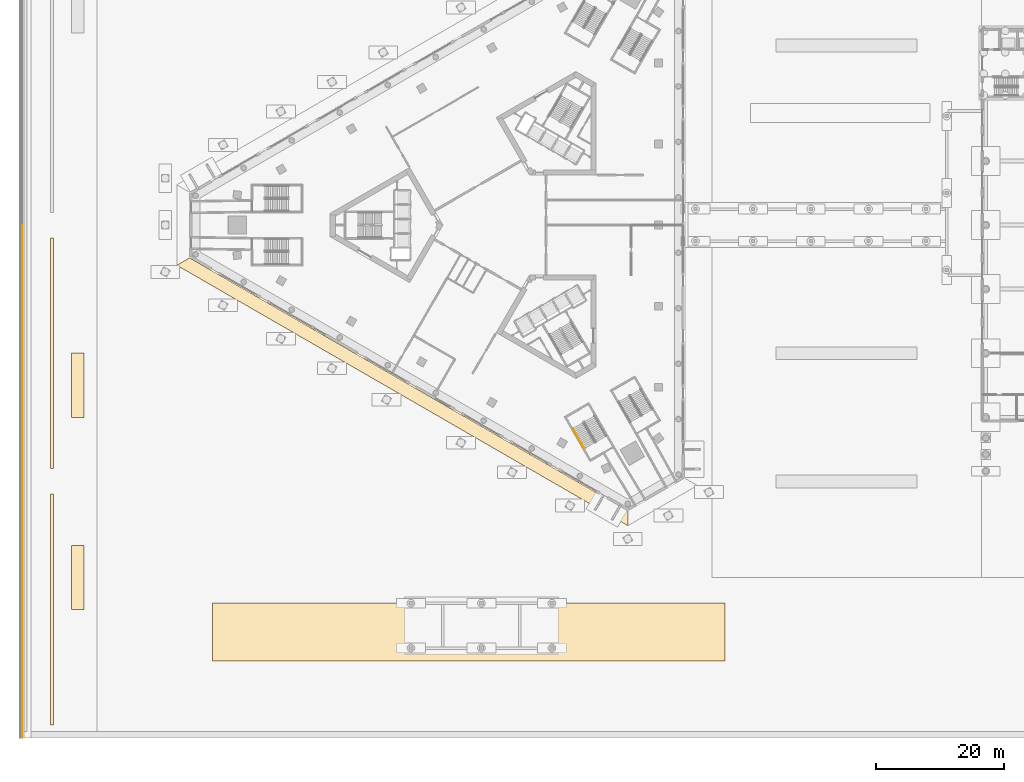
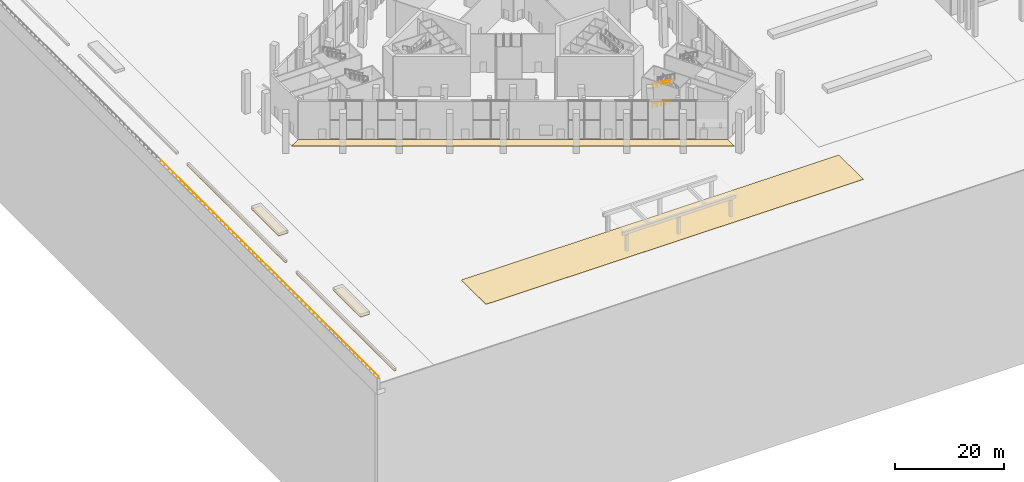
# One storey, part 44 of 63: 6 coverings, 4 railings.
"""IFC4 building model written with IfcOpenShell, lengths in metres."""

import ifcopenshell
import ifcopenshell.guid

model = None  # the IFC model being written
_history = None  # IfcOwnerHistory: only IFC2X3 demands one
_inside = {}  # id of a spatial element -> (the spatial element, [elements in it])
_under = {}  # id of a project, library or spatial element -> (it, [spatial elements below it])
_declared = {}  # id of a project -> (the project, [libraries it declares])
_typed = {}  # id of a type object -> (the type object, [elements of that type])
_made_of = {}  # id of a material, layer set ... -> (it, [elements and type objects made of it])


def new_model(schema):
    """Start an empty IFC model of exactly this schema.

    Asked for "IFC4X3", IfcOpenShell would pick the latest addendum, in which some entities
    have other attributes; the version numbers below select the first issue.
    IFC2X3 requires an IfcOwnerHistory on every rooted entity: one is made here for all.
    """
    global model, _history
    if schema == "IFC4X3":
        model = ifcopenshell.file(schema_version=(4, 3, 0, 0))
    else:
        model = ifcopenshell.file(schema=schema)
    _inside.clear()
    _under.clear()
    _declared.clear()
    _typed.clear()
    _made_of.clear()
    _history = None
    if model.schema == "IFC2X3":
        org = make("IfcOrganization", Name="unknown")
        user = make(
            "IfcPersonAndOrganization",
            ThePerson=make("IfcPerson", FamilyName="unknown"),
            TheOrganization=org,
        )
        app = make(
            "IfcApplication",
            ApplicationDeveloper=org,
            Version="unknown",
            ApplicationFullName="unknown",
            ApplicationIdentifier="unknown",
        )
        _history = make(
            "IfcOwnerHistory",
            OwningUser=user,
            OwningApplication=app,
            ChangeAction="ADDED",
            CreationDate=0,
        )
    return model


def make(cls, **values):
    """One entity of the class cls with the attributes given. An attribute that is None is left unset."""
    return model.create_entity(
        cls, **{name: value for name, value in values.items() if value is not None}
    )


def rooted(cls, **values):
    """An entity with a GlobalId (a new one), such as an element, a storey or a relation."""
    return make(cls, GlobalId=ifcopenshell.guid.new(), OwnerHistory=_history, **values)


def si_unit(unit_type, name, prefix=None):
    """IfcSIUnit, for example si_unit("LENGTHUNIT", "METRE", prefix="MILLI")."""
    return make("IfcSIUnit", UnitType=unit_type, Prefix=prefix, Name=name)


def assignment(units):
    """IfcUnitAssignment: the units of a project."""
    return None if units is None else make("IfcUnitAssignment", Units=units)


def point(xyz):
    """IfcCartesianPoint."""
    return None if xyz is None else make("IfcCartesianPoint", Coordinates=xyz)


def direction(xyz):
    """IfcDirection."""
    return None if xyz is None else make("IfcDirection", DirectionRatios=xyz)


def frame(location, z_axis=None, x_axis=None):
    """IfcAxis2Placement3D, a coordinate frame: its origin and axes. An axis left out is left unset."""
    return make(
        "IfcAxis2Placement3D",
        Location=point(location),
        Axis=direction(z_axis),
        RefDirection=direction(x_axis),
    )


def frame_2d(location, x_axis=None):
    """IfcAxis2Placement2D, a coordinate frame in the plane: its origin and x axis."""
    return make(
        "IfcAxis2Placement2D", Location=point(location), RefDirection=direction(x_axis)
    )


def origin():
    """The frame at (0, 0, 0) with its axes left unset."""
    return frame((0.0, 0.0, 0.0))


def origin_2d():
    """The frame at (0, 0) in the plane with its x axis left unset."""
    return frame_2d((0.0, 0.0))


def place(relative_to, where):
    """IfcLocalPlacement: puts the frame where relative to a parent placement (None: the world)."""
    return make(
        "IfcLocalPlacement", PlacementRelTo=relative_to, RelativePlacement=where
    )


def context(
    kind, dimensions, precision=None, world=None, true_north=None, identifier=None
):
    """IfcGeometricRepresentationContext, for example the 3D "Model" context."""
    return make(
        "IfcGeometricRepresentationContext",
        ContextIdentifier=identifier,
        ContextType=kind,
        CoordinateSpaceDimension=dimensions,
        Precision=precision,
        WorldCoordinateSystem=world,
        TrueNorth=true_north,
    )


def subcontext(parent, identifier, kind, view, scale=None):
    """IfcGeometricRepresentationSubContext, for example "Body" below "Model"."""
    return make(
        "IfcGeometricRepresentationSubContext",
        ContextIdentifier=identifier,
        ContextType=kind,
        ParentContext=parent,
        TargetScale=scale,
        TargetView=view,
    )


def project(units=None, contexts=None):
    """IfcProject with its units and contexts."""
    return rooted(
        "IfcProject",
        Name="project",
        RepresentationContexts=contexts,
        UnitsInContext=assignment(units),
    )


def spatial(cls, under=None, at=None, **own):
    """A site, building, storey or space (cls), placed at a placement, below another one or the project."""
    s = rooted(cls, ObjectPlacement=at, **own)
    if under is not None:
        _under.setdefault(under.id(), (under, []))[1].append(s)
    return s


def polyline(points):
    """IfcPolyline through the points."""
    return make("IfcPolyline", Points=[point(p) for p in points])


def profile(cls, at=None, kind="AREA", **sizes):
    """A parametric profile (cls). Its sizes go by their IFC names, for example OverallWidth=200.0."""
    return make(cls, ProfileType=kind, Position=at, **sizes)


def circle(**sizes):
    """IfcCircleProfileDef."""
    return profile("IfcCircleProfileDef", **sizes)


def outline(outer, holes=None, kind="AREA"):
    """IfcArbitraryClosedProfileDef: a profile drawn as a closed curve; with holes, ...WithVoids."""
    if holes is None:
        return make("IfcArbitraryClosedProfileDef", ProfileType=kind, OuterCurve=outer)
    return make(
        "IfcArbitraryProfileDefWithVoids",
        ProfileType=kind,
        OuterCurve=outer,
        InnerCurves=holes,
    )


def extrude(swept, where, along, depth):
    """IfcExtrudedAreaSolid: the profile swept, set in the frame where, extruded along a direction by depth."""
    return make(
        "IfcExtrudedAreaSolid",
        SweptArea=swept,
        Position=where,
        ExtrudedDirection=direction(along),
        Depth=depth,
    )


def shape(context_of_items, identifier, shape_type, items):
    """IfcShapeRepresentation: the items that make up one representation, for example the "Body"."""
    return make(
        "IfcShapeRepresentation",
        ContextOfItems=context_of_items,
        RepresentationIdentifier=identifier,
        RepresentationType=shape_type,
        Items=items,
    )


def material(Name=None, Category=None):
    """IfcMaterial."""
    return make("IfcMaterial", Name=Name, Category=Category)


def layer(
    of_material, thickness, ventilated=None, Name=None, Category=None, Priority=None
):
    """IfcMaterialLayer: one layer of a wall or slab, of a material (None: an air gap)."""
    return make(
        "IfcMaterialLayer",
        Material=of_material,
        LayerThickness=thickness,
        IsVentilated=ventilated,
        Name=Name,
        Category=Category,
        Priority=Priority,
    )


def layer_set(layers, Name=None):
    """IfcMaterialLayerSet."""
    return make("IfcMaterialLayerSet", MaterialLayers=layers, LayerSetName=Name)


def made_of(thing, what):
    """Note that an element or type object is made of a material, layer set ...; save() writes the relation."""
    if what is not None:
        _made_of.setdefault(what.id(), (what, []))[1].append(thing)
    return thing


def type_object(cls, material=None, **own):
    """A type object (cls), such as IfcWallType, which elements share."""
    return made_of(rooted(cls, **own), material)


def element(
    cls,
    number,
    at=None,
    inside=None,
    cuts=None,
    type_object=None,
    material=None,
    context=None,
    identifier="Body",
    shape_type=None,
    held_by="IfcProductDefinitionShape",
    body=None,
    shapes=None,
    **own,
):
    """One element of the class cls, such as IfcWall. Its Tag is "e" and its number.

    at: its placement. inside: the storey or other place that contains it. cuts: it is an
    opening in that element (IfcRelVoidsElement). A single representation is given by context,
    identifier, shape_type and body (its items); several are given by shapes. held_by: the class
    of the entity that holds the representations. save() writes the other relations.
    """
    e = rooted(cls, Tag="e%d" % number, ObjectPlacement=at, **own)
    if body is not None:
        shapes = [shape(context, identifier, shape_type, body)]
    if shapes is not None:
        e.Representation = make(held_by, Representations=shapes)
    if inside is not None:
        _inside.setdefault(inside.id(), (inside, []))[1].append(e)
    if cuts is not None:
        rooted(
            "IfcRelVoidsElement", RelatingBuildingElement=cuts, RelatedOpeningElement=e
        )
    if type_object is not None:
        _typed.setdefault(type_object.id(), (type_object, []))[1].append(e)
    return made_of(e, material)


def aggregate(whole, parts):
    """IfcRelAggregates: a whole, such as a stair, and the parts it consists of."""
    return rooted("IfcRelAggregates", RelatingObject=whole, RelatedObjects=parts)


def save(model, path):
    """Write the relations noted so far, then the file.

    IfcRelAggregates (storeys below a building ...), IfcRelContainedInSpatialStructure (elements
    in a storey), IfcRelDefinesByType, IfcRelAssociatesMaterial and IfcRelDeclares: one each for
    every whole, place, type object, material and project.
    """
    for whole, parts in _under.values():
        aggregate(whole, parts)
    for where, things in _inside.values():
        rooted(
            "IfcRelContainedInSpatialStructure",
            RelatedElements=things,
            RelatingStructure=where,
        )
    for kind, things in _typed.values():
        rooted("IfcRelDefinesByType", RelatedObjects=things, RelatingType=kind)
    for what, things in _made_of.values():
        rooted("IfcRelAssociatesMaterial", RelatedObjects=things, RelatingMaterial=what)
    for by, libraries in _declared.values():
        rooted("IfcRelDeclares", RelatingContext=by, RelatedDefinitions=libraries)
    model.write(path)


model = new_model("IFC4")

# Units and contexts
model_context = context("Model", 3, precision=1e-05, world=origin(), true_north=direction((0.0, 1.0)))
body_context = subcontext(model_context, "Body", "Model", "MODEL_VIEW")
ifc_project = project(units=[si_unit("LENGTHUNIT", "METRE"), si_unit("AREAUNIT", "SQUARE_METRE"), si_unit("VOLUMEUNIT", "CUBIC_METRE"), si_unit("PLANEANGLEUNIT", "RADIAN"), si_unit("MASSUNIT", "GRAM", prefix="KILO")], contexts=[model_context])

# Site, building, storey
site_placement = place(None, origin())
site = spatial("IfcSite", under=ifc_project, at=site_placement, CompositionType="ELEMENT")
building_placement = place(site_placement, origin())
building = spatial("IfcBuilding", under=site, at=building_placement, Name="Jabali Bay Hotel Tower and Convention Centre", CompositionType="ELEMENT")
storey_placement = place(building_placement, origin())
storey = spatial("IfcBuildingStorey", under=building, at=storey_placement, Name="L00", CompositionType="ELEMENT", Elevation=0.0)

# Covering
ifc_material_1 = material(Name="Precast concrete paving flags", Category="concrete")
ifc_layer_1 = layer(ifc_material_1, 0.199951171875)
ifc_layer_set_1 = layer_set([ifc_layer_1], Name="Precast concrete paving flags")
covering_type_1 = type_object("IfcCoveringType", Name="Podium apron paving 200", PredefinedType="USERDEFINED", material=ifc_layer_set_1)
covering_1_placement = place(storey_placement, frame((0.0, 0.0, -0.199951171875)))
element("IfcCovering", 1, at=covering_1_placement, inside=storey, type_object=covering_type_1, Name="Apron paving south-west face", ObjectType="PAVING", PredefinedType="USERDEFINED", context=body_context, shape_type="SweptSolid", body=[
    extrude(outline(polyline([(26.460205078125, 74.884521484375), (94.83984375, 35.405517578125), (94.83984375, 33.09619140625), (24.460205078125, 73.729736328125), (26.460205078125, 74.884521484375)])), origin(), (0.0, 0.0, 1.0), 0.199951171875),
])

# Railings
ifc_material_2 = material(Name="Stainless steel 304", Category="steel")
railing_type_1 = type_object("IfcRailingType", Name="Quay Railing 450", PredefinedType="GUARDRAIL", material=ifc_material_2)
railing_1_placement = place(storey_placement, frame((0.35009765625, 0.050048828125, 1.10009765625)))
element("IfcRailing", 2, at=railing_1_placement, inside=storey, type_object=railing_type_1, Name="Quay railing 1", PredefinedType="GUARDRAIL", context=body_context, shape_type="SweptSolid", body=[
    extrude(circle(Radius=0.02490234375, at=origin_2d()), frame((0.0, 0.0, 0.4248046875), z_axis=(0.0, 1.0, 0.0), x_axis=(-1.0, 0.0, 0.0)), (0.0, 0.0, 1.0), 39.949951171875),
    extrude(circle(Radius=0.02490234375, at=origin_2d()), origin(), (0.0, 0.0, 1.0), 0.39990234375),
    extrude(circle(Radius=0.02490234375, at=origin_2d()), frame((0.0, 1.479736328125, 0.0)), (0.0, 0.0, 1.0), 0.39990234375),
    extrude(circle(Radius=0.02490234375, at=origin_2d()), frame((0.0, 2.959228515625, 0.0)), (0.0, 0.0, 1.0), 0.39990234375),
    extrude(circle(Radius=0.02490234375, at=origin_2d()), frame((0.0, 4.43896484375, 0.0)), (0.0, 0.0, 1.0), 0.39990234375),
    extrude(circle(Radius=0.02490234375, at=origin_2d()), frame((0.0, 5.91845703125, 0.0)), (0.0, 0.0, 1.0), 0.39990234375),
    extrude(circle(Radius=0.02490234375, at=origin_2d()), frame((0.0, 7.398193359375, 0.0)), (0.0, 0.0, 1.0), 0.39990234375),
    extrude(circle(Radius=0.02490234375, at=origin_2d()), frame((0.0, 8.877685546875, 0.0)), (0.0, 0.0, 1.0), 0.39990234375),
    extrude(circle(Radius=0.02490234375, at=origin_2d()), frame((0.0, 10.357421875, 0.0)), (0.0, 0.0, 1.0), 0.39990234375),
    extrude(circle(Radius=0.02490234375, at=origin_2d()), frame((0.0, 11.8369140625, 0.0)), (0.0, 0.0, 1.0), 0.39990234375),
    extrude(circle(Radius=0.02490234375, at=origin_2d()), frame((0.0, 13.316650390625, 0.0)), (0.0, 0.0, 1.0), 0.39990234375),
    extrude(circle(Radius=0.02490234375, at=origin_2d()), frame((0.0, 14.79638671875, 0.0)), (0.0, 0.0, 1.0), 0.39990234375),
    extrude(circle(Radius=0.02490234375, at=origin_2d()), frame((0.0, 16.27587890625, 0.0)), (0.0, 0.0, 1.0), 0.39990234375),
    extrude(circle(Radius=0.02490234375, at=origin_2d()), frame((0.0, 17.755615234375, 0.0)), (0.0, 0.0, 1.0), 0.39990234375),
    extrude(circle(Radius=0.02490234375, at=origin_2d()), frame((0.0, 19.235107421875, 0.0)), (0.0, 0.0, 1.0), 0.39990234375),
    extrude(circle(Radius=0.02490234375, at=origin_2d()), frame((0.0, 20.71484375, 0.0)), (0.0, 0.0, 1.0), 0.39990234375),
    extrude(circle(Radius=0.02490234375, at=origin_2d()), frame((0.0, 22.1943359375, 0.0)), (0.0, 0.0, 1.0), 0.39990234375),
    extrude(circle(Radius=0.02490234375, at=origin_2d()), frame((0.0, 23.674072265625, 0.0)), (0.0, 0.0, 1.0), 0.39990234375),
    extrude(circle(Radius=0.02490234375, at=origin_2d()), frame((0.0, 25.153564453125, 0.0)), (0.0, 0.0, 1.0), 0.39990234375),
    extrude(circle(Radius=0.02490234375, at=origin_2d()), frame((0.0, 26.63330078125, 0.0)), (0.0, 0.0, 1.0), 0.39990234375),
    extrude(circle(Radius=0.02490234375, at=origin_2d()), frame((0.0, 28.113037109375, 0.0)), (0.0, 0.0, 1.0), 0.39990234375),
    extrude(circle(Radius=0.02490234375, at=origin_2d()), frame((0.0, 29.592529296875, 0.0)), (0.0, 0.0, 1.0), 0.39990234375),
    extrude(circle(Radius=0.02490234375, at=origin_2d()), frame((0.0, 31.072265625, 0.0)), (0.0, 0.0, 1.0), 0.39990234375),
    extrude(circle(Radius=0.02490234375, at=origin_2d()), frame((0.0, 32.5517578125, 0.0)), (0.0, 0.0, 1.0), 0.39990234375),
    extrude(circle(Radius=0.02490234375, at=origin_2d()), frame((0.0, 34.031494140625, 0.0)), (0.0, 0.0, 1.0), 0.39990234375),
    extrude(circle(Radius=0.02490234375, at=origin_2d()), frame((0.0, 35.510986328125, 0.0)), (0.0, 0.0, 1.0), 0.39990234375),
    extrude(circle(Radius=0.02490234375, at=origin_2d()), frame((0.0, 36.99072265625, 0.0)), (0.0, 0.0, 1.0), 0.39990234375),
    extrude(circle(Radius=0.02490234375, at=origin_2d()), frame((0.0, 38.47021484375, 0.0)), (0.0, 0.0, 1.0), 0.39990234375),
    extrude(circle(Radius=0.02490234375, at=origin_2d()), frame((0.0, 39.949951171875, 0.0)), (0.0, 0.0, 1.0), 0.39990234375),
])
railing_2_placement = place(storey_placement, frame((0.35009765625, 40.0, 1.10009765625)))
element("IfcRailing", 3, at=railing_2_placement, inside=storey, type_object=railing_type_1, Name="Quay railing 2", PredefinedType="GUARDRAIL", context=body_context, shape_type="SweptSolid", body=[
    extrude(circle(Radius=0.02490234375, at=origin_2d()), frame((0.0, 0.0, 0.4248046875), z_axis=(0.0, 1.0, 0.0), x_axis=(-1.0, 0.0, 0.0)), (0.0, 0.0, 1.0), 40.0),
    extrude(circle(Radius=0.02490234375, at=origin_2d()), origin(), (0.0, 0.0, 1.0), 0.39990234375),
    extrude(circle(Radius=0.02490234375, at=origin_2d()), frame((0.0, 1.4814453125, 0.0)), (0.0, 0.0, 1.0), 0.39990234375),
    extrude(circle(Radius=0.02490234375, at=origin_2d()), frame((0.0, 2.962890625, 0.0)), (0.0, 0.0, 1.0), 0.39990234375),
    extrude(circle(Radius=0.02490234375, at=origin_2d()), frame((0.0, 4.4443359375, 0.0)), (0.0, 0.0, 1.0), 0.39990234375),
    extrude(circle(Radius=0.02490234375, at=origin_2d()), frame((0.0, 5.926025390625, 0.0)), (0.0, 0.0, 1.0), 0.39990234375),
    extrude(circle(Radius=0.02490234375, at=origin_2d()), frame((0.0, 7.407470703125, 0.0)), (0.0, 0.0, 1.0), 0.39990234375),
    extrude(circle(Radius=0.02490234375, at=origin_2d()), frame((0.0, 8.888916015625, 0.0)), (0.0, 0.0, 1.0), 0.39990234375),
    extrude(circle(Radius=0.02490234375, at=origin_2d()), frame((0.0, 10.370361328125, 0.0)), (0.0, 0.0, 1.0), 0.39990234375),
    extrude(circle(Radius=0.02490234375, at=origin_2d()), frame((0.0, 11.851806640625, 0.0)), (0.0, 0.0, 1.0), 0.39990234375),
    extrude(circle(Radius=0.02490234375, at=origin_2d()), frame((0.0, 13.333251953125, 0.0)), (0.0, 0.0, 1.0), 0.39990234375),
    extrude(circle(Radius=0.02490234375, at=origin_2d()), frame((0.0, 14.814697265625, 0.0)), (0.0, 0.0, 1.0), 0.39990234375),
    extrude(circle(Radius=0.02490234375, at=origin_2d()), frame((0.0, 16.29638671875, 0.0)), (0.0, 0.0, 1.0), 0.39990234375),
    extrude(circle(Radius=0.02490234375, at=origin_2d()), frame((0.0, 17.77783203125, 0.0)), (0.0, 0.0, 1.0), 0.39990234375),
    extrude(circle(Radius=0.02490234375, at=origin_2d()), frame((0.0, 19.25927734375, 0.0)), (0.0, 0.0, 1.0), 0.39990234375),
    extrude(circle(Radius=0.02490234375, at=origin_2d()), frame((0.0, 20.74072265625, 0.0)), (0.0, 0.0, 1.0), 0.39990234375),
    extrude(circle(Radius=0.02490234375, at=origin_2d()), frame((0.0, 22.22216796875, 0.0)), (0.0, 0.0, 1.0), 0.39990234375),
    extrude(circle(Radius=0.02490234375, at=origin_2d()), frame((0.0, 23.70361328125, 0.0)), (0.0, 0.0, 1.0), 0.39990234375),
    extrude(circle(Radius=0.02490234375, at=origin_2d()), frame((0.0, 25.185302734375, 0.0)), (0.0, 0.0, 1.0), 0.39990234375),
    extrude(circle(Radius=0.02490234375, at=origin_2d()), frame((0.0, 26.666748046875, 0.0)), (0.0, 0.0, 1.0), 0.39990234375),
    extrude(circle(Radius=0.02490234375, at=origin_2d()), frame((0.0, 28.148193359375, 0.0)), (0.0, 0.0, 1.0), 0.39990234375),
    extrude(circle(Radius=0.02490234375, at=origin_2d()), frame((0.0, 29.629638671875, 0.0)), (0.0, 0.0, 1.0), 0.39990234375),
    extrude(circle(Radius=0.02490234375, at=origin_2d()), frame((0.0, 31.111083984375, 0.0)), (0.0, 0.0, 1.0), 0.39990234375),
    extrude(circle(Radius=0.02490234375, at=origin_2d()), frame((0.0, 32.592529296875, 0.0)), (0.0, 0.0, 1.0), 0.39990234375),
    extrude(circle(Radius=0.02490234375, at=origin_2d()), frame((0.0, 34.073974609375, 0.0)), (0.0, 0.0, 1.0), 0.39990234375),
    extrude(circle(Radius=0.02490234375, at=origin_2d()), frame((0.0, 35.5556640625, 0.0)), (0.0, 0.0, 1.0), 0.39990234375),
    extrude(circle(Radius=0.02490234375, at=origin_2d()), frame((0.0, 37.037109375, 0.0)), (0.0, 0.0, 1.0), 0.39990234375),
    extrude(circle(Radius=0.02490234375, at=origin_2d()), frame((0.0, 38.5185546875, 0.0)), (0.0, 0.0, 1.0), 0.39990234375),
    extrude(circle(Radius=0.02490234375, at=origin_2d()), frame((0.0, 40.0, 0.0)), (0.0, 0.0, 1.0), 0.39990234375),
])

# Coverings
ifc_layer_2 = layer(ifc_material_1, 0.14990234375)
ifc_layer_set_2 = layer_set([ifc_layer_2], Name="Precast concrete paving flags")
covering_type_2 = type_object("IfcCoveringType", Name="SI Paving 150", PredefinedType="USERDEFINED", material=ifc_layer_set_2)
covering_2_placement = place(storey_placement, frame((0.0, 0.0, -0.14990234375)))
element("IfcCovering", 4, at=covering_2_placement, inside=storey, type_object=covering_type_2, Name="SI drop-off lane paving", ObjectType="PAVING", PredefinedType="USERDEFINED", context=body_context, shape_type="SweptSolid", body=[
    extrude(outline(polyline([(110.0, 12.0), (110.0, 21.0), (30.0, 21.0), (30.0, 12.0), (110.0, 12.0)])), origin(), (0.0, 0.0, 1.0), 0.14990234375),
])
covering_3_placement = place(storey_placement, frame((0.0, 0.0, -0.14990234375)))
element("IfcCovering", 5, at=covering_3_placement, inside=storey, type_object=covering_type_2, Name="SI site paving 8", ObjectType="PAVING", PredefinedType="USERDEFINED", context=body_context, shape_type="SweptSolid", body=[
    extrude(outline(polyline([(10.0, 50.01806640625), (10.0, 50.02001953125), (10.0, 59.97998046875), (10.0, 59.98193359375), (9.99951171875, 59.98388671875), (9.9990234375, 59.98583984375), (9.99853515625, 59.987548828125), (9.99755859375, 59.989501953125), (9.99658203125, 59.9912109375), (9.995361328125, 59.99267578125), (9.994140625, 59.994140625), (9.99267578125, 59.995361328125), (9.9912109375, 59.99658203125), (9.989501953125, 59.99755859375), (9.987548828125, 59.99853515625), (9.98583984375, 59.9990234375), (9.98388671875, 59.99951171875), (9.98193359375, 60.0), (9.97998046875, 60.0), (8.02001953125, 60.0), (8.01806640625, 60.0), (8.01611328125, 59.99951171875), (8.01416015625, 59.9990234375), (8.012451171875, 59.99853515625), (8.010498046875, 59.99755859375), (8.0087890625, 59.99658203125), (8.00732421875, 59.995361328125), (8.005859375, 59.994140625), (8.004638671875, 59.99267578125), (8.00341796875, 59.9912109375), (8.00244140625, 59.989501953125), (8.00146484375, 59.987548828125), (8.0009765625, 59.98583984375), (8.00048828125, 59.98388671875), (8.0, 59.98193359375), (8.0, 59.97998046875), (8.0, 50.02001953125), (8.0, 50.01806640625), (8.00048828125, 50.01611328125), (8.0009765625, 50.01416015625), (8.00146484375, 50.012451171875), (8.00244140625, 50.010498046875), (8.00341796875, 50.0087890625), (8.004638671875, 50.00732421875), (8.005859375, 50.005859375), (8.00732421875, 50.004638671875), (8.0087890625, 50.00341796875), (8.010498046875, 50.00244140625), (8.012451171875, 50.00146484375), (8.01416015625, 50.0009765625), (8.01611328125, 50.00048828125), (8.01806640625, 50.0), (8.02001953125, 50.0), (9.97998046875, 50.0), (9.98193359375, 50.0), (9.98388671875, 50.00048828125), (9.98583984375, 50.0009765625), (9.987548828125, 50.00146484375), (9.989501953125, 50.00244140625), (9.9912109375, 50.00341796875), (9.99267578125, 50.004638671875), (9.994140625, 50.005859375), (9.995361328125, 50.00732421875), (9.99658203125, 50.0087890625), (9.99755859375, 50.010498046875), (9.99853515625, 50.012451171875), (9.9990234375, 50.01416015625), (9.99951171875, 50.01611328125), (10.0, 50.01806640625)])), origin(), (0.0, 0.0, 1.0), 0.14990234375),
])
covering_4_placement = place(storey_placement, frame((0.0, 0.0, -0.14990234375)))
element("IfcCovering", 6, at=covering_4_placement, inside=storey, type_object=covering_type_2, Name="SI site paving 9", ObjectType="PAVING", PredefinedType="USERDEFINED", context=body_context, shape_type="SweptSolid", body=[
    extrude(outline(polyline([(10.0, 20.01806640625), (10.0, 20.02001953125), (10.0, 29.97998046875), (10.0, 29.98193359375), (9.99951171875, 29.98388671875), (9.9990234375, 29.98583984375), (9.99853515625, 29.987548828125), (9.99755859375, 29.989501953125), (9.99658203125, 29.9912109375), (9.995361328125, 29.99267578125), (9.994140625, 29.994140625), (9.99267578125, 29.995361328125), (9.9912109375, 29.99658203125), (9.989501953125, 29.99755859375), (9.987548828125, 29.99853515625), (9.98583984375, 29.9990234375), (9.98388671875, 29.99951171875), (9.98193359375, 30.0), (9.97998046875, 30.0), (8.02001953125, 30.0), (8.01806640625, 30.0), (8.01611328125, 29.99951171875), (8.01416015625, 29.9990234375), (8.012451171875, 29.99853515625), (8.010498046875, 29.99755859375), (8.0087890625, 29.99658203125), (8.00732421875, 29.995361328125), (8.005859375, 29.994140625), (8.004638671875, 29.99267578125), (8.00341796875, 29.9912109375), (8.00244140625, 29.989501953125), (8.00146484375, 29.987548828125), (8.0009765625, 29.98583984375), (8.00048828125, 29.98388671875), (8.0, 29.98193359375), (8.0, 29.97998046875), (8.0, 20.02001953125), (8.0, 20.01806640625), (8.00048828125, 20.01611328125), (8.0009765625, 20.01416015625), (8.00146484375, 20.012451171875), (8.00244140625, 20.010498046875), (8.00341796875, 20.0087890625), (8.004638671875, 20.00732421875), (8.005859375, 20.005859375), (8.00732421875, 20.004638671875), (8.0087890625, 20.00341796875), (8.010498046875, 20.00244140625), (8.012451171875, 20.00146484375), (8.01416015625, 20.0009765625), (8.01611328125, 20.00048828125), (8.01806640625, 20.0), (8.02001953125, 20.0), (9.97998046875, 20.0), (9.98193359375, 20.0), (9.98388671875, 20.00048828125), (9.98583984375, 20.0009765625), (9.987548828125, 20.00146484375), (9.989501953125, 20.00244140625), (9.9912109375, 20.00341796875), (9.99267578125, 20.004638671875), (9.994140625, 20.005859375), (9.995361328125, 20.00732421875), (9.99658203125, 20.0087890625), (9.99755859375, 20.010498046875), (9.99853515625, 20.012451171875), (9.9990234375, 20.01416015625), (9.99951171875, 20.01611328125), (10.0, 20.01806640625)])), origin(), (0.0, 0.0, 1.0), 0.14990234375),
])
covering_5_placement = place(storey_placement, frame((0.0, 0.0, -0.14990234375)))
element("IfcCovering", 7, at=covering_5_placement, inside=storey, type_object=covering_type_2, Name="SI site paving 10", ObjectType="PAVING", PredefinedType="USERDEFINED", context=body_context, shape_type="SweptSolid", body=[
    extrude(outline(polyline([(5.224853515625, 2.01806640625), (5.22509765625, 2.02001953125), (5.22509765625, 37.97998046875), (5.224853515625, 37.98193359375), (5.224609375, 37.98388671875), (5.22412109375, 37.98583984375), (5.223388671875, 37.987548828125), (5.22265625, 37.989501953125), (5.2216796875, 37.9912109375), (5.220458984375, 37.99267578125), (5.21923828125, 37.994140625), (5.2177734375, 37.995361328125), (5.216064453125, 37.99658203125), (5.21435546875, 37.99755859375), (5.212646484375, 37.99853515625), (5.210693359375, 37.9990234375), (5.208984375, 37.99951171875), (5.20703125, 38.0), (5.205078125, 38.0), (4.794921875, 38.0), (4.79296875, 38.0), (4.791015625, 37.99951171875), (4.789306640625, 37.9990234375), (4.787353515625, 37.99853515625), (4.78564453125, 37.99755859375), (4.783935546875, 37.99658203125), (4.7822265625, 37.995361328125), (4.78076171875, 37.994140625), (4.779541015625, 37.99267578125), (4.7783203125, 37.9912109375), (4.77734375, 37.989501953125), (4.776611328125, 37.987548828125), (4.77587890625, 37.98583984375), (4.775390625, 37.98388671875), (4.775146484375, 37.98193359375), (4.77490234375, 37.97998046875), (4.77490234375, 2.02001953125), (4.775146484375, 2.01806640625), (4.775390625, 2.01611328125), (4.77587890625, 2.01416015625), (4.776611328125, 2.012451171875), (4.77734375, 2.010498046875), (4.7783203125, 2.0087890625), (4.779541015625, 2.00732421875), (4.78076171875, 2.005859375), (4.7822265625, 2.004638671875), (4.783935546875, 2.00341796875), (4.78564453125, 2.00244140625), (4.787353515625, 2.00146484375), (4.789306640625, 2.0009765625), (4.791015625, 2.00048828125), (4.79296875, 2.0), (4.794921875, 2.0), (5.205078125, 2.0), (5.20703125, 2.0), (5.208984375, 2.00048828125), (5.210693359375, 2.0009765625), (5.212646484375, 2.00146484375), (5.21435546875, 2.00244140625), (5.216064453125, 2.00341796875), (5.2177734375, 2.004638671875), (5.21923828125, 2.005859375), (5.220458984375, 2.00732421875), (5.2216796875, 2.0087890625), (5.22265625, 2.010498046875), (5.223388671875, 2.012451171875), (5.22412109375, 2.01416015625), (5.224609375, 2.01611328125), (5.224853515625, 2.01806640625)])), origin(), (0.0, 0.0, 1.0), 0.14990234375),
])
covering_6_placement = place(storey_placement, frame((0.0, 0.0, -0.14990234375)))
element("IfcCovering", 8, at=covering_6_placement, inside=storey, type_object=covering_type_2, Name="SI site paving 13", ObjectType="PAVING", PredefinedType="USERDEFINED", context=body_context, shape_type="SweptSolid", body=[
    extrude(outline(polyline([(5.224853515625, 42.01806640625), (5.22509765625, 42.02001953125), (5.22509765625, 77.97998046875), (5.224853515625, 77.98193359375), (5.224609375, 77.98388671875), (5.22412109375, 77.98583984375), (5.223388671875, 77.987548828125), (5.22265625, 77.989501953125), (5.2216796875, 77.9912109375), (5.220458984375, 77.99267578125), (5.21923828125, 77.994140625), (5.2177734375, 77.995361328125), (5.216064453125, 77.99658203125), (5.21435546875, 77.99755859375), (5.212646484375, 77.99853515625), (5.210693359375, 77.9990234375), (5.208984375, 77.99951171875), (5.20703125, 78.0), (5.205078125, 78.0), (4.794921875, 78.0), (4.79296875, 78.0), (4.791015625, 77.99951171875), (4.789306640625, 77.9990234375), (4.787353515625, 77.99853515625), (4.78564453125, 77.99755859375), (4.783935546875, 77.99658203125), (4.7822265625, 77.995361328125), (4.78076171875, 77.994140625), (4.779541015625, 77.99267578125), (4.7783203125, 77.9912109375), (4.77734375, 77.989501953125), (4.776611328125, 77.987548828125), (4.77587890625, 77.98583984375), (4.775390625, 77.98388671875), (4.775146484375, 77.98193359375), (4.77490234375, 77.97998046875), (4.77490234375, 42.02001953125), (4.775146484375, 42.01806640625), (4.775390625, 42.01611328125), (4.77587890625, 42.01416015625), (4.776611328125, 42.012451171875), (4.77734375, 42.010498046875), (4.7783203125, 42.0087890625), (4.779541015625, 42.00732421875), (4.78076171875, 42.005859375), (4.7822265625, 42.004638671875), (4.783935546875, 42.00341796875), (4.78564453125, 42.00244140625), (4.787353515625, 42.00146484375), (4.789306640625, 42.0009765625), (4.791015625, 42.00048828125), (4.79296875, 42.0), (4.794921875, 42.0), (5.205078125, 42.0), (5.20703125, 42.0), (5.208984375, 42.00048828125), (5.210693359375, 42.0009765625), (5.212646484375, 42.00146484375), (5.21435546875, 42.00244140625), (5.216064453125, 42.00341796875), (5.2177734375, 42.004638671875), (5.21923828125, 42.005859375), (5.220458984375, 42.00732421875), (5.2216796875, 42.0087890625), (5.22265625, 42.010498046875), (5.223388671875, 42.012451171875), (5.22412109375, 42.01416015625), (5.224609375, 42.01611328125), (5.224853515625, 42.01806640625)])), origin(), (0.0, 0.0, 1.0), 0.14990234375),
])

# Railings
ifc_material_3 = material(Name="Steel Q355B", Category="steel")
railing_type_2 = type_object("IfcRailingType", Name="Stair handrail 900", PredefinedType="HANDRAIL", material=ifc_material_3)
for number, where, name in (
    (9, (86.272216796875, 48.27587890625, 2.41064453125), "L00 PS6 stair handrail 2"),
    (10, (86.272216796875, 48.27587890625, 6.91064453125), "L00 PS6 stair handrail 4"),
):
    element("IfcRailing", number, at=place(storey_placement, frame(where)), inside=storey, type_object=railing_type_2, Name=name, PredefinedType="HANDRAIL", context=body_context, shape_type="SweptSolid", body=[
        extrude(circle(Radius=0.02392578125, at=origin_2d()), frame((0.0, 0.0, 0.8759765625), z_axis=(0.433652999409, -0.751083504812, 0.49781386572), x_axis=(0.866018046521, 0.500012742938, 0.0)), (0.0, 0.0, 1.0), 4.197021484375),
        extrude(circle(Radius=0.02099609375, at=origin_2d()), origin(), (0.0, 0.0, 1.0), 0.851806640625),
        extrude(circle(Radius=0.02099609375, at=origin_2d()), frame((0.455078125, -0.7880859375, 0.5224609375)), (0.0, 0.0, 1.0), 0.851806640625),
        extrude(circle(Radius=0.02099609375, at=origin_2d()), frame((0.91015625, -1.576171875, 1.044677734375)), (0.0, 0.0, 1.0), 0.851806640625),
        extrude(circle(Radius=0.02099609375, at=origin_2d()), frame((1.364990234375, -2.3642578125, 1.56689453125)), (0.0, 0.0, 1.0), 0.851806640625),
        extrude(circle(Radius=0.02099609375, at=origin_2d()), frame((1.820068359375, -3.15234375, 2.08935546875)), (0.0, 0.0, 1.0), 0.851806640625),
    ])

save(model, "model.ifc")
